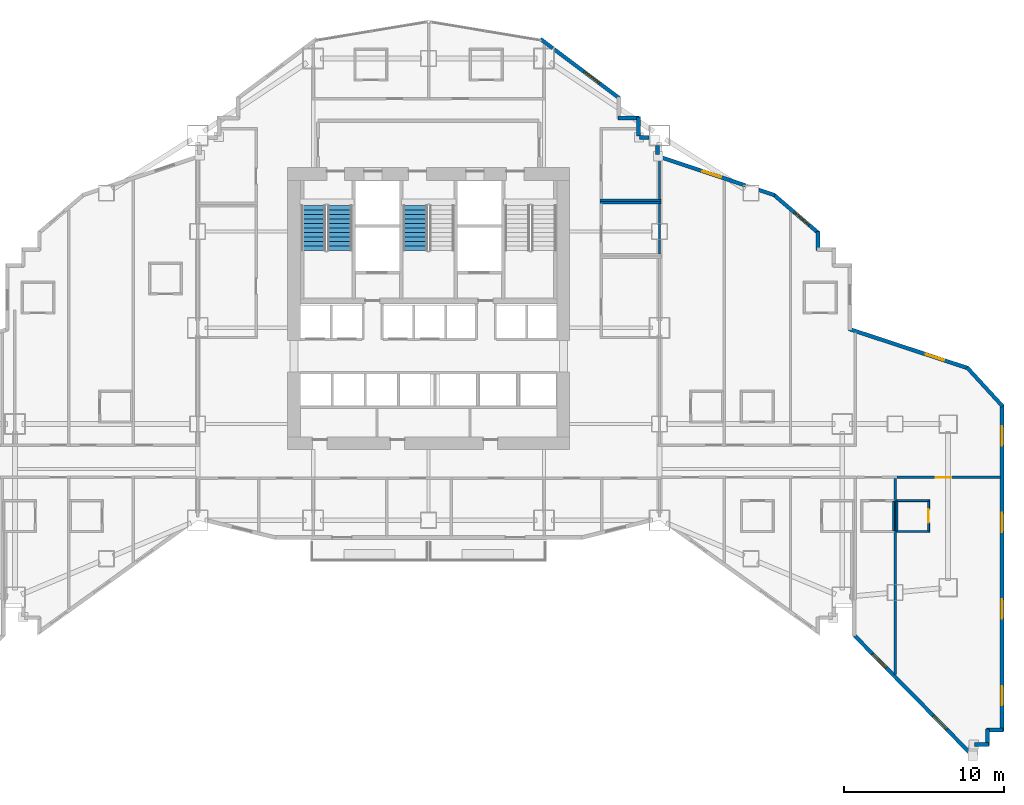
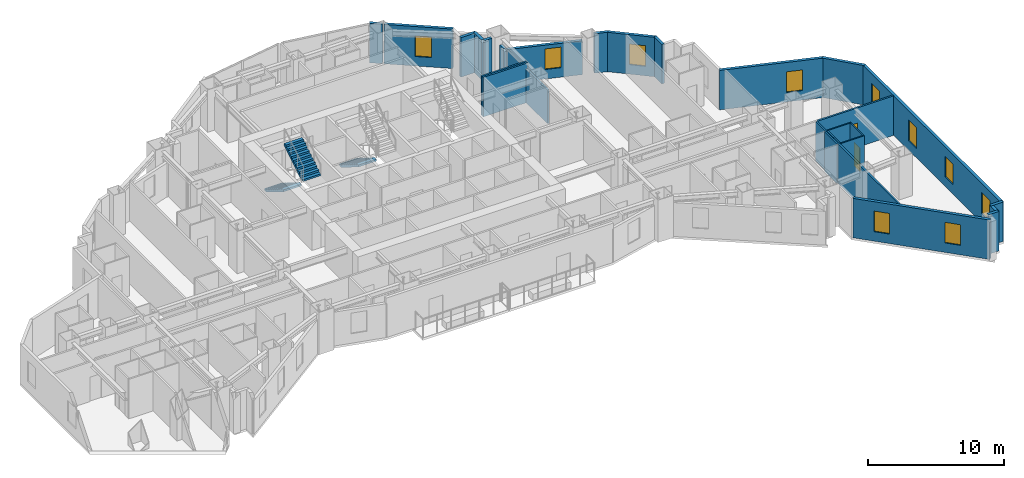
# One storey, part 13 of 19: 28 walls, 10 windows, 3 stair flights, 2 doors, 12 openings, 2 elements without a shape of their own.
"""IFC4 building model written with IfcOpenShell, lengths in metres."""

import ifcopenshell
import ifcopenshell.guid

model = None  # the IFC model being written
_history = None  # IfcOwnerHistory: only IFC2X3 demands one
_inside = {}  # id of a spatial element -> (the spatial element, [elements in it])
_under = {}  # id of a project, library or spatial element -> (it, [spatial elements below it])
_declared = {}  # id of a project -> (the project, [libraries it declares])
_typed = {}  # id of a type object -> (the type object, [elements of that type])
_made_of = {}  # id of a material, layer set ... -> (it, [elements and type objects made of it])


def new_model(schema):
    """Start an empty IFC model of exactly this schema.

    Asked for "IFC4X3", IfcOpenShell would pick the latest addendum, in which some entities
    have other attributes; the version numbers below select the first issue.
    IFC2X3 requires an IfcOwnerHistory on every rooted entity: one is made here for all.
    """
    global model, _history
    if schema == "IFC4X3":
        model = ifcopenshell.file(schema_version=(4, 3, 0, 0))
    else:
        model = ifcopenshell.file(schema=schema)
    _inside.clear()
    _under.clear()
    _declared.clear()
    _typed.clear()
    _made_of.clear()
    _history = None
    if model.schema == "IFC2X3":
        org = make("IfcOrganization", Name="unknown")
        user = make(
            "IfcPersonAndOrganization",
            ThePerson=make("IfcPerson", FamilyName="unknown"),
            TheOrganization=org,
        )
        app = make(
            "IfcApplication",
            ApplicationDeveloper=org,
            Version="unknown",
            ApplicationFullName="unknown",
            ApplicationIdentifier="unknown",
        )
        _history = make(
            "IfcOwnerHistory",
            OwningUser=user,
            OwningApplication=app,
            ChangeAction="ADDED",
            CreationDate=0,
        )
    return model


def make(cls, **values):
    """One entity of the class cls with the attributes given. An attribute that is None is left unset."""
    return model.create_entity(
        cls, **{name: value for name, value in values.items() if value is not None}
    )


def rooted(cls, **values):
    """An entity with a GlobalId (a new one), such as an element, a storey or a relation."""
    return make(cls, GlobalId=ifcopenshell.guid.new(), OwnerHistory=_history, **values)


def si_unit(unit_type, name, prefix=None):
    """IfcSIUnit, for example si_unit("LENGTHUNIT", "METRE", prefix="MILLI")."""
    return make("IfcSIUnit", UnitType=unit_type, Prefix=prefix, Name=name)


def assignment(units):
    """IfcUnitAssignment: the units of a project."""
    return None if units is None else make("IfcUnitAssignment", Units=units)


def point(xyz):
    """IfcCartesianPoint."""
    return None if xyz is None else make("IfcCartesianPoint", Coordinates=xyz)


def direction(xyz):
    """IfcDirection."""
    return None if xyz is None else make("IfcDirection", DirectionRatios=xyz)


def frame(location, z_axis=None, x_axis=None):
    """IfcAxis2Placement3D, a coordinate frame: its origin and axes. An axis left out is left unset."""
    return make(
        "IfcAxis2Placement3D",
        Location=point(location),
        Axis=direction(z_axis),
        RefDirection=direction(x_axis),
    )


def frame_2d(location, x_axis=None):
    """IfcAxis2Placement2D, a coordinate frame in the plane: its origin and x axis."""
    return make(
        "IfcAxis2Placement2D", Location=point(location), RefDirection=direction(x_axis)
    )


def origin():
    """The frame at (0, 0, 0) with its axes left unset."""
    return frame((0.0, 0.0, 0.0))


def place(relative_to, where):
    """IfcLocalPlacement: puts the frame where relative to a parent placement (None: the world)."""
    return make(
        "IfcLocalPlacement", PlacementRelTo=relative_to, RelativePlacement=where
    )


def context(
    kind, dimensions, precision=None, world=None, true_north=None, identifier=None
):
    """IfcGeometricRepresentationContext, for example the 3D "Model" context."""
    return make(
        "IfcGeometricRepresentationContext",
        ContextIdentifier=identifier,
        ContextType=kind,
        CoordinateSpaceDimension=dimensions,
        Precision=precision,
        WorldCoordinateSystem=world,
        TrueNorth=true_north,
    )


def subcontext(parent, identifier, kind, view, scale=None):
    """IfcGeometricRepresentationSubContext, for example "Body" below "Model"."""
    return make(
        "IfcGeometricRepresentationSubContext",
        ContextIdentifier=identifier,
        ContextType=kind,
        ParentContext=parent,
        TargetScale=scale,
        TargetView=view,
    )


def project(units=None, contexts=None):
    """IfcProject with its units and contexts."""
    return rooted(
        "IfcProject",
        Name="project",
        RepresentationContexts=contexts,
        UnitsInContext=assignment(units),
    )


def spatial(cls, under=None, at=None, **own):
    """A site, building, storey or space (cls), placed at a placement, below another one or the project."""
    s = rooted(cls, ObjectPlacement=at, **own)
    if under is not None:
        _under.setdefault(under.id(), (under, []))[1].append(s)
    return s


def polyline(points):
    """IfcPolyline through the points."""
    return make("IfcPolyline", Points=[point(p) for p in points])


def profile(cls, at=None, kind="AREA", **sizes):
    """A parametric profile (cls). Its sizes go by their IFC names, for example OverallWidth=200.0."""
    return make(cls, ProfileType=kind, Position=at, **sizes)


def rectangle(**sizes):
    """IfcRectangleProfileDef."""
    return profile("IfcRectangleProfileDef", **sizes)


def outline(outer, holes=None, kind="AREA"):
    """IfcArbitraryClosedProfileDef: a profile drawn as a closed curve; with holes, ...WithVoids."""
    if holes is None:
        return make("IfcArbitraryClosedProfileDef", ProfileType=kind, OuterCurve=outer)
    return make(
        "IfcArbitraryProfileDefWithVoids",
        ProfileType=kind,
        OuterCurve=outer,
        InnerCurves=holes,
    )


def extrude(swept, where, along, depth):
    """IfcExtrudedAreaSolid: the profile swept, set in the frame where, extruded along a direction by depth."""
    return make(
        "IfcExtrudedAreaSolid",
        SweptArea=swept,
        Position=where,
        ExtrudedDirection=direction(along),
        Depth=depth,
    )


def shape(context_of_items, identifier, shape_type, items):
    """IfcShapeRepresentation: the items that make up one representation, for example the "Body"."""
    return make(
        "IfcShapeRepresentation",
        ContextOfItems=context_of_items,
        RepresentationIdentifier=identifier,
        RepresentationType=shape_type,
        Items=items,
    )


def material(Name=None, Category=None):
    """IfcMaterial."""
    return make("IfcMaterial", Name=Name, Category=Category)


def layer(
    of_material, thickness, ventilated=None, Name=None, Category=None, Priority=None
):
    """IfcMaterialLayer: one layer of a wall or slab, of a material (None: an air gap)."""
    return make(
        "IfcMaterialLayer",
        Material=of_material,
        LayerThickness=thickness,
        IsVentilated=ventilated,
        Name=Name,
        Category=Category,
        Priority=Priority,
    )


def layer_set(layers, Name=None):
    """IfcMaterialLayerSet."""
    return make("IfcMaterialLayerSet", MaterialLayers=layers, LayerSetName=Name)


def made_of(thing, what):
    """Note that an element or type object is made of a material, layer set ...; save() writes the relation."""
    if what is not None:
        _made_of.setdefault(what.id(), (what, []))[1].append(thing)
    return thing


def type_object(cls, material=None, **own):
    """A type object (cls), such as IfcWallType, which elements share."""
    return made_of(rooted(cls, **own), material)


def element(
    cls,
    number,
    at=None,
    inside=None,
    cuts=None,
    type_object=None,
    material=None,
    context=None,
    identifier="Body",
    shape_type=None,
    held_by="IfcProductDefinitionShape",
    body=None,
    shapes=None,
    **own,
):
    """One element of the class cls, such as IfcWall. Its Tag is "e" and its number.

    at: its placement. inside: the storey or other place that contains it. cuts: it is an
    opening in that element (IfcRelVoidsElement). A single representation is given by context,
    identifier, shape_type and body (its items); several are given by shapes. held_by: the class
    of the entity that holds the representations. save() writes the other relations.
    """
    e = rooted(cls, Tag="e%d" % number, ObjectPlacement=at, **own)
    if body is not None:
        shapes = [shape(context, identifier, shape_type, body)]
    if shapes is not None:
        e.Representation = make(held_by, Representations=shapes)
    if inside is not None:
        _inside.setdefault(inside.id(), (inside, []))[1].append(e)
    if cuts is not None:
        rooted(
            "IfcRelVoidsElement", RelatingBuildingElement=cuts, RelatedOpeningElement=e
        )
    if type_object is not None:
        _typed.setdefault(type_object.id(), (type_object, []))[1].append(e)
    return made_of(e, material)


def fill(opening, filler):
    """IfcRelFillsElement: the door or window that sits in an opening."""
    return rooted(
        "IfcRelFillsElement",
        RelatingOpeningElement=opening,
        RelatedBuildingElement=filler,
    )


def aggregate(whole, parts):
    """IfcRelAggregates: a whole, such as a stair, and the parts it consists of."""
    return rooted("IfcRelAggregates", RelatingObject=whole, RelatedObjects=parts)


def save(model, path):
    """Write the relations noted so far, then the file.

    IfcRelAggregates (storeys below a building ...), IfcRelContainedInSpatialStructure (elements
    in a storey), IfcRelDefinesByType, IfcRelAssociatesMaterial and IfcRelDeclares: one each for
    every whole, place, type object, material and project.
    """
    for whole, parts in _under.values():
        aggregate(whole, parts)
    for where, things in _inside.values():
        rooted(
            "IfcRelContainedInSpatialStructure",
            RelatedElements=things,
            RelatingStructure=where,
        )
    for kind, things in _typed.values():
        rooted("IfcRelDefinesByType", RelatedObjects=things, RelatingType=kind)
    for what, things in _made_of.values():
        rooted("IfcRelAssociatesMaterial", RelatedObjects=things, RelatingMaterial=what)
    for by, libraries in _declared.values():
        rooted("IfcRelDeclares", RelatingContext=by, RelatedDefinitions=libraries)
    model.write(path)


model = new_model("IFC4")

# Units and contexts
model_context = context("Model", 3, precision=1e-05, world=origin(), true_north=direction((0.0, 1.0)))
body_context = subcontext(model_context, "Body", "Model", "MODEL_VIEW")
ifc_project = project(units=[si_unit("LENGTHUNIT", "METRE"), si_unit("AREAUNIT", "SQUARE_METRE"), si_unit("VOLUMEUNIT", "CUBIC_METRE"), si_unit("PLANEANGLEUNIT", "RADIAN"), si_unit("MASSUNIT", "GRAM", prefix="KILO")], contexts=[model_context])

# Site, building, storey
site_placement = place(None, origin())
site = spatial("IfcSite", under=ifc_project, at=site_placement, CompositionType="ELEMENT")
building_placement = place(site_placement, origin())
building = spatial("IfcBuilding", under=site, at=building_placement, Name="Haolan Belvedere Tower", CompositionType="ELEMENT")
storey_placement = place(building_placement, frame((0.0, 0.0, 39.199951171875)))
storey = spatial("IfcBuildingStorey", under=building, at=storey_placement, Name="L09", CompositionType="ELEMENT", Elevation=39.199951171875)

# Wall, openings, windows
ifc_material_1 = material(Name="Precast concrete C40/50", Category="concrete")
ifc_layer_1 = layer(ifc_material_1, 0.239990234375, Name="Precast concrete C40/50")
ifc_layer_set_1 = layer_set([ifc_layer_1], Name="Precast concrete C40/50")
wall_type_1 = type_object("IfcWallType", Name="WL-EXT-240", PredefinedType="SOLIDWALL", material=ifc_layer_set_1)
wall_1_placement = place(storey_placement, frame((64.965576171875, 14.40283203125, 0.0), z_axis=(0.0, 0.0, 1.0), x_axis=(0.701329027825, -0.712837705744, 0.0)))
wall_1 = element("IfcWall", 1, at=wall_1_placement, inside=storey, type_object=wall_type_1, Name="L09 pale-metal exterior spandrel wall 21.1", PredefinedType="SOLIDWALL", context=body_context, shape_type="SweptSolid", body=[
    extrude(rectangle(XDim=10.458251953125, YDim=0.239990234375, at=frame_2d((5.22900390625, 0.0))), origin(), (0.0, 0.0, 1.0), 3.5400390625),
])
opening_1_placement = place(wall_1_placement, frame((1.60009765625, 0.0, 0.85009765625)))
opening_1 = element("IfcOpeningElement", 2, at=opening_1_placement, cuts=wall_1, Name="Opening W-01", PredefinedType="OPENING", context=body_context, shape_type="SweptSolid", body=[
    extrude(rectangle(XDim=1.199951171875, YDim=1.85009765625, at=frame_2d((0.60009765625, 0.925048828125))), frame((0.0, 0.1298828125, 0.0), z_axis=(0.0, -1.0, 0.0), x_axis=(1.0, 0.0, 0.0)), (0.0, 0.0, 1.0), 0.260009765625),
])
opening_2_placement = place(wall_1_placement, frame((7.0, 0.0, 0.85009765625)))
opening_2 = element("IfcOpeningElement", 3, at=opening_2_placement, cuts=wall_1, Name="Opening W-01", PredefinedType="OPENING", context=body_context, shape_type="SweptSolid", body=[
    extrude(rectangle(XDim=1.199951171875, YDim=1.85009765625, at=frame_2d((0.60009765625, 0.925048828125))), frame((0.0, 0.1298828125, 0.0), z_axis=(0.0, -1.0, 0.0), x_axis=(1.0, 0.0, 0.0)), (0.0, 0.0, 1.0), 0.260009765625),
])
ifc_material_2 = material(Name="Anodised aluminium 6063-T6 and Low-E glass", Category="aluminium")
window_type = type_object("IfcWindowType", Name="WN-DECO-Z1", PartitioningType="SINGLE_PANEL", PredefinedType="WINDOW", material=ifc_material_2)
window_1_placement = place(opening_1_placement, origin())
window_1 = element("IfcWindow", 4, at=window_1_placement, inside=storey, type_object=window_type, Name="L09 Art Deco chevron window 1", OverallHeight=1.85009765625, OverallWidth=1.199951171875, PartitioningType="SINGLE_PANEL", PredefinedType="WINDOW", context=body_context, shape_type="SweptSolid", body=[
    extrude(rectangle(XDim=1.199951171875, YDim=1.85009765625, at=frame_2d((0.60009765625, 0.925048828125))), frame((0.0, 0.030029296875, 0.0), z_axis=(0.0, -1.0, 0.0), x_axis=(1.0, 0.0, 0.0)), (0.0, 0.0, 1.0), 0.06005859375),
])
fill(opening_1, window_1)
window_2_placement = place(opening_2_placement, origin())
window_2 = element("IfcWindow", 5, at=window_2_placement, inside=storey, type_object=window_type, Name="L09 Art Deco chevron window 2", OverallHeight=1.85009765625, OverallWidth=1.199951171875, PartitioningType="SINGLE_PANEL", PredefinedType="WINDOW", context=body_context, shape_type="SweptSolid", body=[
    extrude(rectangle(XDim=1.199951171875, YDim=1.85009765625, at=frame_2d((0.60009765625, 0.925048828125))), frame((0.0, 0.030029296875, 0.0), z_axis=(0.0, -1.0, 0.0), x_axis=(1.0, 0.0, 0.0)), (0.0, 0.0, 1.0), 0.06005859375),
])
fill(opening_2, window_2)

# Walls
wall_2_placement = place(storey_placement, frame((72.445068359375, 7.614013671875, 0.0), z_axis=(0.0, 0.0, 1.0), x_axis=(1.0, 0.0, 0.0)))
element("IfcWall", 6, at=wall_2_placement, inside=storey, type_object=wall_type_1, Name="L09 pale-metal exterior spandrel wall 23.1", PredefinedType="SOLIDWALL", context=body_context, shape_type="SweptSolid", body=[
    extrude(rectangle(XDim=0.869873046875, YDim=0.239990234375, at=frame_2d((0.43505859375, 0.0))), origin(), (0.0, 0.0, 1.0), 3.5400390625),
])
for number, where, z_axis, x_axis, name in (
    (7, (73.260009765625, 7.55908203125, 0.0), (0.0, 0.0, 1.0), (0.0, 1.0, 0.0), "L09 pale-metal exterior spandrel wall 24.1"),
    (8, (73.205078125, 8.513916015625, 0.0), (0.0, 0.0, 1.0), (1.0, 0.0, 0.0), "L09 pale-metal exterior spandrel wall 25.1"),
):
    element("IfcWall", number, at=place(storey_placement, frame(where, z_axis=z_axis, x_axis=x_axis)), inside=storey, type_object=wall_type_1, Name=name, PredefinedType="SOLIDWALL", context=body_context, shape_type="SweptSolid", body=[
        extrude(rectangle(XDim=1.010009765625, YDim=0.239990234375, at=frame_2d((0.5048828125, 0.0))), origin(), (0.0, 0.0, 1.0), 3.5400390625),
    ])

# Wall, openings, windows
wall_3_placement = place(storey_placement, frame((74.159912109375, 8.458984375, 0.0), z_axis=(0.0, 0.0, 1.0), x_axis=(0.0, 1.0, 0.0)))
wall_3 = element("IfcWall", 9, at=wall_3_placement, inside=storey, type_object=wall_type_1, Name="L09 pale-metal exterior spandrel wall 26.1", PredefinedType="SOLIDWALL", context=body_context, shape_type="SweptSolid", body=[
    extrude(rectangle(XDim=20.349365234375, YDim=0.239990234375, at=frame_2d((10.1748046875, 0.0))), origin(), (0.0, 0.0, 1.0), 3.5400390625),
])
opening_3_placement = place(wall_3_placement, frame((1.60009765625, 0.0, 0.85009765625)))
opening_3 = element("IfcOpeningElement", 10, at=opening_3_placement, cuts=wall_3, Name="Opening W-01", PredefinedType="OPENING", context=body_context, shape_type="SweptSolid", body=[
    extrude(rectangle(XDim=1.199951171875, YDim=1.85009765625, at=frame_2d((0.60009765625, 0.925048828125))), frame((0.0, 0.1298828125, 0.0), z_axis=(0.0, -1.0, 0.0), x_axis=(1.0, 0.0, 0.0)), (0.0, 0.0, 1.0), 0.260009765625),
])
opening_4_placement = place(wall_3_placement, frame((7.0, 0.0, 0.85009765625)))
opening_4 = element("IfcOpeningElement", 11, at=opening_4_placement, cuts=wall_3, Name="Opening W-01", PredefinedType="OPENING", context=body_context, shape_type="SweptSolid", body=[
    extrude(rectangle(XDim=1.199951171875, YDim=1.85009765625, at=frame_2d((0.60009765625, 0.925048828125))), frame((0.0, 0.1298828125, 0.0), z_axis=(0.0, -1.0, 0.0), x_axis=(1.0, 0.0, 0.0)), (0.0, 0.0, 1.0), 0.260009765625),
])
opening_5_placement = place(wall_3_placement, frame((12.39990234375, 0.0, 0.85009765625)))
opening_5 = element("IfcOpeningElement", 12, at=opening_5_placement, cuts=wall_3, Name="Opening W-01", PredefinedType="OPENING", context=body_context, shape_type="SweptSolid", body=[
    extrude(rectangle(XDim=1.199951171875, YDim=1.85009765625, at=frame_2d((0.60009765625, 0.925048828125))), frame((0.0, 0.1298828125, 0.0), z_axis=(0.0, -1.0, 0.0), x_axis=(1.0, 0.0, 0.0)), (0.0, 0.0, 1.0), 0.260009765625),
])
opening_6_placement = place(wall_3_placement, frame((17.800048828125, 0.0, 0.85009765625)))
opening_6 = element("IfcOpeningElement", 13, at=opening_6_placement, cuts=wall_3, Name="Opening W-01", PredefinedType="OPENING", context=body_context, shape_type="SweptSolid", body=[
    extrude(rectangle(XDim=1.199951171875, YDim=1.85009765625, at=frame_2d((0.60009765625, 0.925048828125))), frame((0.0, 0.1298828125, 0.0), z_axis=(0.0, -1.0, 0.0), x_axis=(1.0, 0.0, 0.0)), (0.0, 0.0, 1.0), 0.260009765625),
])
window_3_placement = place(opening_3_placement, origin())
window_3 = element("IfcWindow", 14, at=window_3_placement, inside=storey, type_object=window_type, Name="L09 Art Deco chevron window 1", OverallHeight=1.85009765625, OverallWidth=1.199951171875, PartitioningType="SINGLE_PANEL", PredefinedType="WINDOW", context=body_context, shape_type="SweptSolid", body=[
    extrude(rectangle(XDim=1.199951171875, YDim=1.85009765625, at=frame_2d((0.60009765625, 0.925048828125))), frame((0.0, 0.030029296875, 0.0), z_axis=(0.0, -1.0, 0.0), x_axis=(1.0, 0.0, 0.0)), (0.0, 0.0, 1.0), 0.06005859375),
])
fill(opening_3, window_3)
window_4_placement = place(opening_4_placement, origin())
window_4 = element("IfcWindow", 15, at=window_4_placement, inside=storey, type_object=window_type, Name="L09 Art Deco chevron window 2", OverallHeight=1.85009765625, OverallWidth=1.199951171875, PartitioningType="SINGLE_PANEL", PredefinedType="WINDOW", context=body_context, shape_type="SweptSolid", body=[
    extrude(rectangle(XDim=1.199951171875, YDim=1.85009765625, at=frame_2d((0.60009765625, 0.925048828125))), frame((0.0, 0.030029296875, 0.0), z_axis=(0.0, -1.0, 0.0), x_axis=(1.0, 0.0, 0.0)), (0.0, 0.0, 1.0), 0.06005859375),
])
fill(opening_4, window_4)
window_5_placement = place(opening_5_placement, origin())
window_5 = element("IfcWindow", 16, at=window_5_placement, inside=storey, type_object=window_type, Name="L09 Art Deco chevron window 3", OverallHeight=1.85009765625, OverallWidth=1.199951171875, PartitioningType="SINGLE_PANEL", PredefinedType="WINDOW", context=body_context, shape_type="SweptSolid", body=[
    extrude(rectangle(XDim=1.199951171875, YDim=1.85009765625, at=frame_2d((0.60009765625, 0.925048828125))), frame((0.0, 0.030029296875, 0.0), z_axis=(0.0, -1.0, 0.0), x_axis=(1.0, 0.0, 0.0)), (0.0, 0.0, 1.0), 0.06005859375),
])
fill(opening_5, window_5)
window_6_placement = place(opening_6_placement, origin())
window_6 = element("IfcWindow", 17, at=window_6_placement, inside=storey, type_object=window_type, Name="L09 Art Deco chevron window 4", OverallHeight=1.85009765625, OverallWidth=1.199951171875, PartitioningType="SINGLE_PANEL", PredefinedType="WINDOW", context=body_context, shape_type="SweptSolid", body=[
    extrude(rectangle(XDim=1.199951171875, YDim=1.85009765625, at=frame_2d((0.60009765625, 0.925048828125))), frame((0.0, 0.030029296875, 0.0), z_axis=(0.0, -1.0, 0.0), x_axis=(1.0, 0.0, 0.0)), (0.0, 0.0, 1.0), 0.06005859375),
])
fill(opening_6, window_6)

# Wall
wall_4_placement = place(storey_placement, frame((74.197265625, 28.712890625, 0.0), z_axis=(0.0, 0.0, 1.0), x_axis=(-0.675771705575, 0.737110983465, 0.0)))
element("IfcWall", 18, at=wall_4_placement, inside=storey, type_object=wall_type_1, Name="L09 pale-metal exterior spandrel wall 27.1", PredefinedType="SOLIDWALL", context=body_context, shape_type="SweptSolid", body=[
    extrude(rectangle(XDim=3.28759765625, YDim=0.239990234375, at=frame_2d((1.643798828125, 0.0))), origin(), (0.0, 0.0, 1.0), 3.5400390625),
])

# Wall, opening, window
wall_5_placement = place(storey_placement, frame((72.06494140625, 31.07861328125, 0.0), z_axis=(0.0, 0.0, 1.0), x_axis=(-0.949719438711, 0.313102200144, 0.0)))
wall_5 = element("IfcWall", 19, at=wall_5_placement, inside=storey, type_object=wall_type_1, Name="L09 pale-metal exterior spandrel wall 28.1", PredefinedType="SOLIDWALL", context=body_context, shape_type="SweptSolid", body=[
    extrude(rectangle(XDim=7.8310546875, YDim=0.239990234375, at=frame_2d((3.91552734375, 0.0))), origin(), (0.0, 0.0, 1.0), 3.5400390625),
])
opening_7_placement = place(wall_5_placement, frame((1.60009765625, 0.0, 0.85009765625)))
opening_7 = element("IfcOpeningElement", 20, at=opening_7_placement, cuts=wall_5, Name="Opening W-01", PredefinedType="OPENING", context=body_context, shape_type="SweptSolid", body=[
    extrude(rectangle(XDim=1.199951171875, YDim=1.85009765625, at=frame_2d((0.60009765625, 0.925048828125))), frame((0.0, 0.1298828125, 0.0), z_axis=(0.0, -1.0, 0.0), x_axis=(1.0, 0.0, 0.0)), (0.0, 0.0, 1.0), 0.260009765625),
])
window_7_placement = place(opening_7_placement, origin())
window_7 = element("IfcWindow", 21, at=window_7_placement, inside=storey, type_object=window_type, Name="L09 Art Deco chevron window 1", OverallHeight=1.85009765625, OverallWidth=1.199951171875, PartitioningType="SINGLE_PANEL", PredefinedType="WINDOW", context=body_context, shape_type="SweptSolid", body=[
    extrude(rectangle(XDim=1.199951171875, YDim=1.85009765625, at=frame_2d((0.60009765625, 0.925048828125))), frame((0.0, 0.030029296875, 0.0), z_axis=(0.0, -1.0, 0.0), x_axis=(1.0, 0.0, 0.0)), (0.0, 0.0, 1.0), 0.06005859375),
])
fill(opening_7, window_7)

# Wall
wall_6_placement = place(storey_placement, frame((62.679931640625, 38.425048828125, 0.0), z_axis=(0.0, 0.0, 1.0), x_axis=(0.0, 1.0, 0.0)))
element("IfcWall", 22, at=wall_6_placement, inside=storey, type_object=wall_type_1, Name="L09 pale-metal exterior spandrel wall 33.1", PredefinedType="SOLIDWALL", context=body_context, shape_type="SweptSolid", body=[
    extrude(rectangle(XDim=1.1748046875, YDim=0.239990234375, at=frame_2d((0.58740234375, 0.0))), origin(), (0.0, 0.0, 1.0), 3.5400390625),
])

# Wall, opening, window
wall_7_placement = place(storey_placement, frame((62.7216796875, 39.509033203125, 0.0), z_axis=(0.0, 0.0, 1.0), x_axis=(-0.759247334792, 0.650802185469, 0.0)))
wall_7 = element("IfcWall", 23, at=wall_7_placement, inside=storey, type_object=wall_type_1, Name="L09 pale-metal exterior spandrel wall 34.1", PredefinedType="SOLIDWALL", context=body_context, shape_type="SweptSolid", body=[
    extrude(rectangle(XDim=3.71923828125, YDim=0.239990234375, at=frame_2d((1.859619140625, 0.0))), origin(), (0.0, 0.0, 1.0), 3.5400390625),
])
opening_8_placement = place(wall_7_placement, frame((0.7822265625, 0.0, 0.85009765625)))
opening_8 = element("IfcOpeningElement", 24, at=opening_8_placement, cuts=wall_7, Name="Opening W-01", PredefinedType="OPENING", context=body_context, shape_type="SweptSolid", body=[
    extrude(rectangle(XDim=1.199951171875, YDim=1.85009765625, at=frame_2d((0.60009765625, 0.925048828125))), frame((0.0, 0.1298828125, 0.0), z_axis=(0.0, -1.0, 0.0), x_axis=(1.0, 0.0, 0.0)), (0.0, 0.0, 1.0), 0.260009765625),
])
window_8_placement = place(opening_8_placement, origin())
window_8 = element("IfcWindow", 25, at=window_8_placement, inside=storey, type_object=window_type, Name="L09 Art Deco chevron window 1", OverallHeight=1.85009765625, OverallWidth=1.199951171875, PartitioningType="SINGLE_PANEL", PredefinedType="WINDOW", context=body_context, shape_type="SweptSolid", body=[
    extrude(rectangle(XDim=1.199951171875, YDim=1.85009765625, at=frame_2d((0.60009765625, 0.925048828125))), frame((0.0, 0.030029296875, 0.0), z_axis=(0.0, -1.0, 0.0), x_axis=(1.0, 0.0, 0.0)), (0.0, 0.0, 1.0), 0.06005859375),
])
fill(opening_8, window_8)

# Wall
wall_8_placement = place(storey_placement, frame((59.991943359375, 41.876220703125, 0.0), z_axis=(0.0, 0.0, 1.0), x_axis=(-0.948706457285, 0.316158279832, 0.0)))
element("IfcWall", 26, at=wall_8_placement, inside=storey, type_object=wall_type_1, Name="L09 pale-metal exterior spandrel wall 35.1", PredefinedType="SOLIDWALL", context=body_context, shape_type="SweptSolid", body=[
    extrude(rectangle(XDim=1.053955078125, YDim=0.239990234375, at=frame_2d((0.52685546875, 0.0))), origin(), (0.0, 0.0, 1.0), 3.5400390625),
])

# Wall, opening, window
wall_9_placement = place(storey_placement, frame((58.14453125, 42.491943359375, 0.0), z_axis=(0.0, 0.0, 1.0), x_axis=(-0.948683298051, 0.316227766017, 0.0)))
wall_9 = element("IfcWall", 27, at=wall_9_placement, inside=storey, type_object=wall_type_1, Name="L09 pale-metal exterior spandrel wall 35.2", PredefinedType="SOLIDWALL", context=body_context, shape_type="SweptSolid", body=[
    extrude(rectangle(XDim=5.67529296875, YDim=0.239990234375, at=frame_2d((2.837646484375, 0.0))), origin(), (0.0, 0.0, 1.0), 3.037109375),
])
opening_9_placement = place(wall_9_placement, frame((1.60009765625, 0.0, 0.85009765625)))
opening_9 = element("IfcOpeningElement", 28, at=opening_9_placement, cuts=wall_9, Name="Opening W-01", PredefinedType="OPENING", context=body_context, shape_type="SweptSolid", body=[
    extrude(rectangle(XDim=1.199951171875, YDim=1.85009765625, at=frame_2d((0.60009765625, 0.925048828125))), frame((0.0, 0.1298828125, 0.0), z_axis=(0.0, -1.0, 0.0), x_axis=(1.0, 0.0, 0.0)), (0.0, 0.0, 1.0), 0.260009765625),
])
window_9_placement = place(opening_9_placement, origin())
window_9 = element("IfcWindow", 29, at=window_9_placement, inside=storey, type_object=window_type, Name="L09 Art Deco chevron window 1", OverallHeight=1.85009765625, OverallWidth=1.199951171875, PartitioningType="SINGLE_PANEL", PredefinedType="WINDOW", context=body_context, shape_type="SweptSolid", body=[
    extrude(rectangle(XDim=1.199951171875, YDim=1.85009765625, at=frame_2d((0.60009765625, 0.925048828125))), frame((0.0, 0.030029296875, 0.0), z_axis=(0.0, -1.0, 0.0), x_axis=(1.0, 0.0, 0.0)), (0.0, 0.0, 1.0), 0.06005859375),
])
fill(opening_9, window_9)

# Walls
wall_10_placement = place(storey_placement, frame((52.679931640625, 44.3984375, 0.0), z_axis=(0.0, 0.0, 1.0), x_axis=(0.0, 1.0, 0.0)))
element("IfcWall", 30, at=wall_10_placement, inside=storey, type_object=wall_type_1, Name="L09 pale-metal exterior spandrel wall 36.1", PredefinedType="SOLIDWALL", context=body_context, shape_type="SweptSolid", body=[
    extrude(rectangle(XDim=0.5595703125, YDim=0.239990234375, at=frame_2d((0.27978515625, 0.0))), origin(), (0.0, 0.0, 1.0), 3.037109375),
])
wall_11_placement = place(storey_placement, frame((52.157958984375, 45.47998046875, 0.0), z_axis=(0.0, 0.0, 1.0), x_axis=(-1.0, 0.0, 0.0)))
element("IfcWall", 31, at=wall_11_placement, inside=storey, type_object=wall_type_1, Name="L09 pale-metal exterior spandrel wall 37.1", PredefinedType="SOLIDWALL", context=body_context, shape_type="SweptSolid", body=[
    extrude(rectangle(XDim=0.593017578125, YDim=0.239990234375, at=frame_2d((0.29638671875, 0.0))), origin(), (0.0, 0.0, 1.0), 3.5400390625),
])
wall_12_placement = place(storey_placement, frame((51.47998046875, 45.56494140625, 0.0), z_axis=(0.0, 0.0, 1.0), x_axis=(0.0, 1.0, 0.0)))
element("IfcWall", 32, at=wall_12_placement, inside=storey, type_object=wall_type_1, Name="L09 pale-metal exterior spandrel wall 38.1", PredefinedType="SOLIDWALL", context=body_context, shape_type="SweptSolid", body=[
    extrude(rectangle(XDim=1.170166015625, YDim=0.239990234375, at=frame_2d((0.5849609375, 0.0))), origin(), (0.0, 0.0, 1.0), 3.5400390625),
])
wall_13_placement = place(storey_placement, frame((51.534912109375, 46.679931640625, 0.0), z_axis=(0.0, 0.0, 1.0), x_axis=(-1.0, 0.0, 0.0)))
element("IfcWall", 33, at=wall_13_placement, inside=storey, type_object=wall_type_1, Name="L09 pale-metal exterior spandrel wall 39.1", PredefinedType="SOLIDWALL", context=body_context, shape_type="SweptSolid", body=[
    extrude(rectangle(XDim=1.309814453125, YDim=0.239990234375, at=frame_2d((0.65478515625, 0.0))), origin(), (0.0, 0.0, 1.0), 3.5400390625),
])

# Wall, opening, window
wall_14_placement = place(storey_placement, frame((50.323974609375, 47.906982421875, 0.0), z_axis=(0.0, 0.0, 1.0), x_axis=(-0.8, 0.6, 0.0)))
wall_14 = element("IfcWall", 34, at=wall_14_placement, inside=storey, type_object=wall_type_1, Name="L09 pale-metal exterior spandrel wall 41.1", PredefinedType="SOLIDWALL", context=body_context, shape_type="SweptSolid", body=[
    extrude(rectangle(XDim=5.1025390625, YDim=0.239990234375, at=frame_2d((2.55126953125, 0.0))), origin(), (0.0, 0.0, 1.0), 3.5400390625),
])
opening_10_placement = place(wall_14_placement, frame((1.60009765625, 0.0, 0.85009765625)))
opening_10 = element("IfcOpeningElement", 35, at=opening_10_placement, cuts=wall_14, Name="Opening W-01", PredefinedType="OPENING", context=body_context, shape_type="SweptSolid", body=[
    extrude(rectangle(XDim=1.199951171875, YDim=1.85009765625, at=frame_2d((0.60009765625, 0.925048828125))), frame((0.0, 0.1298828125, 0.0), z_axis=(0.0, -1.0, 0.0), x_axis=(1.0, 0.0, 0.0)), (0.0, 0.0, 1.0), 0.260009765625),
])
window_10_placement = place(opening_10_placement, origin())
window_10 = element("IfcWindow", 36, at=window_10_placement, inside=storey, type_object=window_type, Name="L09 Art Deco chevron window 1", OverallHeight=1.85009765625, OverallWidth=1.199951171875, PartitioningType="SINGLE_PANEL", PredefinedType="WINDOW", context=body_context, shape_type="SweptSolid", body=[
    extrude(rectangle(XDim=1.199951171875, YDim=1.85009765625, at=frame_2d((0.60009765625, 0.925048828125))), frame((0.0, 0.030029296875, 0.0), z_axis=(0.0, -1.0, 0.0), x_axis=(1.0, 0.0, 0.0)), (0.0, 0.0, 1.0), 0.06005859375),
])
fill(opening_10, window_10)

# Walls
wall_15_placement = place(storey_placement, frame((46.143798828125, 51.0419921875, 0.0), z_axis=(0.0, 0.0, 1.0), x_axis=(-0.8, 0.6, 0.0)))
element("IfcWall", 37, at=wall_15_placement, inside=storey, type_object=wall_type_1, Name="L09 pale-metal exterior spandrel wall 41.2", PredefinedType="SOLIDWALL", context=body_context, shape_type="SweptSolid", body=[
    extrude(rectangle(XDim=0.965576171875, YDim=0.239990234375, at=frame_2d((0.48291015625, 0.0))), origin(), (0.0, 0.0, 1.0), 3.5400390625),
])
ifc_material_3 = material(Name="Double gypsum acoustic stud partition", Category="masonry")
ifc_layer_2 = layer(ifc_material_3, 0.14990234375, Name="Double gypsum acoustic stud partition")
ifc_layer_set_2 = layer_set([ifc_layer_2], Name="Double gypsum acoustic stud partition")
wall_type_2 = type_object("IfcWallType", Name="WL-PART-150", PredefinedType="PARTITIONING", material=ifc_layer_set_2)
wall_16_placement = place(storey_placement, frame((49.080078125, 41.39990234375, 0.0), z_axis=(0.0, 0.0, 1.0), x_axis=(1.0, 0.0, 0.0)))
element("IfcWall", 38, at=wall_16_placement, inside=storey, type_object=wall_type_2, Name="L09 interior partition IW-L09-AWC-N", PredefinedType="PARTITIONING", context=body_context, shape_type="SweptSolid", body=[
    extrude(rectangle(XDim=3.7998046875, YDim=0.14990234375, at=frame_2d((1.89990234375, 0.0))), origin(), (0.0, 0.0, 1.0), 3.5400390625),
])
wall_17_placement = place(storey_placement, frame((52.800048828125, 38.219970703125, 0.0), z_axis=(0.0, 0.0, 1.0), x_axis=(0.0, 1.0, 0.0)))
element("IfcWall", 39, at=wall_17_placement, inside=storey, type_object=wall_type_2, Name="L09 interior partition IW-L09-AWC-E", PredefinedType="PARTITIONING", context=body_context, shape_type="SweptSolid", body=[
    extrude(rectangle(XDim=3.1201171875, YDim=0.14990234375, at=frame_2d((1.56005859375, 0.0))), origin(), (0.0, 0.0, 1.0), 3.037109375),
])
wall_18_placement = place(storey_placement, frame((49.080078125, 41.56005859375, 0.0), z_axis=(0.0, 0.0, 1.0), x_axis=(1.0, 0.0, 0.0)))
element("IfcWall", 40, at=wall_18_placement, inside=storey, type_object=wall_type_2, Name="L09 interior partition IW-L09-CLN-S", PredefinedType="PARTITIONING", context=body_context, shape_type="SweptSolid", body=[
    extrude(rectangle(XDim=3.7998046875, YDim=0.14990234375, at=frame_2d((1.89990234375, 0.0))), origin(), (0.0, 0.0, 1.0), 3.5400390625),
])
wall_19_placement = place(storey_placement, frame((52.800048828125, 41.6201171875, 0.0), z_axis=(0.0, 0.0, 1.0), x_axis=(0.0, 1.0, 0.0)))
element("IfcWall", 41, at=wall_19_placement, inside=storey, type_object=wall_type_2, Name="L09 interior partition IW-L09-CLN-E", PredefinedType="PARTITIONING", context=body_context, shape_type="SweptSolid", body=[
    extrude(rectangle(XDim=2.542724609375, YDim=0.14990234375, at=frame_2d((1.271484375, 0.0))), origin(), (0.0, 0.0, 1.0), 3.037109375),
])
wall_20_placement = place(storey_placement, frame((67.5, 11.9765625, 0.0), z_axis=(0.0, 0.0, 1.0), x_axis=(0.0, 1.0, 0.0)))
element("IfcWall", 42, at=wall_20_placement, inside=storey, type_object=wall_type_2, Name="L09 interior partition IW-L09-T5S1-E", PredefinedType="PARTITIONING", context=body_context, shape_type="SweptSolid", body=[
    extrude(rectangle(XDim=12.2333984375, YDim=0.14990234375, at=frame_2d((6.11669921875, 0.0))), origin(), (0.0, 0.0, 1.0), 3.5400390625),
])

# Wall, opening, door
wall_21_placement = place(storey_placement, frame((67.60205078125, 24.27001953125, 0.0), z_axis=(0.0, 0.0, 1.0), x_axis=(1.0, 0.0, 0.0)))
wall_21 = element("IfcWall", 43, at=wall_21_placement, inside=storey, type_object=wall_type_2, Name="L09 interior partition IW-L09-T5S2-N", PredefinedType="PARTITIONING", context=body_context, shape_type="SweptSolid", body=[
    extrude(rectangle(XDim=6.452880859375, YDim=0.14990234375, at=frame_2d((3.2265625, 0.0))), origin(), (0.0, 0.0, 1.0), 3.5400390625),
])
opening_11_placement = place(wall_21_placement, frame((3.383056640625, 0.0, 0.0), z_axis=(0.0, 0.0, 1.0), x_axis=(-1.0, 0.0, 0.0)))
opening_11 = element("IfcOpeningElement", 44, at=opening_11_placement, cuts=wall_21, Name="Opening ID-01", PredefinedType="OPENING", context=body_context, shape_type="SweptSolid", body=[
    extrude(rectangle(XDim=0.949951171875, YDim=2.179931640625, at=frame_2d((0.47509765625, 1.08984375))), frame((0.0, 0.0849609375, 0.0), z_axis=(0.0, -1.0, 0.0), x_axis=(1.0, 0.0, 0.0)), (0.0, 0.0, 1.0), 0.169921875),
])
ifc_material_4 = material(Name="Acoustic walnut veneer fire-rated timber", Category="wood")
door_type_1 = type_object("IfcDoorType", Name="DR-SUITE-950", OperationType="NOTDEFINED", PredefinedType="DOOR", material=ifc_material_4)
door_1_placement = place(opening_11_placement, origin())
door_1 = element("IfcDoor", 45, at=door_1_placement, inside=storey, type_object=door_type_1, Name="L09 door ID-L09-T5S2-ENT", OperationType="SINGLE_SWING_RIGHT", OverallHeight=2.179931640625, OverallWidth=0.949951171875, PredefinedType="DOOR", context=body_context, shape_type="SweptSolid", body=[
    extrude(rectangle(XDim=0.949951171875, YDim=2.179931640625, at=frame_2d((0.47509765625, 1.08984375))), frame((0.0, 0.02490234375, 0.0), z_axis=(0.0, -1.0, 0.0), x_axis=(1.0, 0.0, 0.0)), (0.0, 0.0, 1.0), 0.050048828125),
])
fill(opening_11, door_1)

# Walls
ifc_material_5 = material(Name="Moisture-resistant gypsum tile partition", Category="masonry")
ifc_layer_3 = layer(ifc_material_5, 0.1201171875, Name="Moisture-resistant gypsum tile partition")
ifc_layer_set_3 = layer_set([ifc_layer_3], Name="Moisture-resistant gypsum tile partition")
wall_type_3 = type_object("IfcWallType", Name="WL-WET-120", PredefinedType="PARTITIONING", material=ifc_layer_set_3)
wall_22_placement = place(storey_placement, frame((67.39990234375, 20.945068359375, 0.0), z_axis=(0.0, 0.0, 1.0), x_axis=(0.0, 1.0, 0.0)))
element("IfcWall", 46, at=wall_22_placement, inside=storey, type_object=wall_type_3, Name="L09 interior partition IW-L09-T5S1-BE", PredefinedType="PARTITIONING", context=body_context, shape_type="SweptSolid", body=[
    extrude(rectangle(XDim=1.829833984375, YDim=0.1201171875, at=frame_2d((0.9150390625, 0.0))), origin(), (0.0, 0.0, 1.0), 3.5400390625),
])
for number, where, z_axis, x_axis, name in (
    (47, (67.56005859375, 22.820068359375, 0.0), (0.0, 0.0, 1.0), (1.0, 0.0, 0.0), "L09 interior partition IW-L09-T5S2-BN"),
    (48, (67.56005859375, 20.89990234375, 0.0), (0.0, 0.0, 1.0), (1.0, 0.0, 0.0), "L09 interior partition IW-L09-T5S2-BS"),
):
    element("IfcWall", number, at=place(storey_placement, frame(where, z_axis=z_axis, x_axis=x_axis)), inside=storey, type_object=wall_type_3, Name=name, PredefinedType="PARTITIONING", context=body_context, shape_type="SweptSolid", body=[
        extrude(rectangle(XDim=2.079833984375, YDim=0.1201171875, at=frame_2d((1.0400390625, 0.0))), origin(), (0.0, 0.0, 1.0), 3.5400390625),
    ])
wall_23_placement = place(storey_placement, frame((67.60009765625, 20.945068359375, 0.0), z_axis=(0.0, 0.0, 1.0), x_axis=(0.0, 1.0, 0.0)))
element("IfcWall", 49, at=wall_23_placement, inside=storey, type_object=wall_type_3, Name="L09 interior partition IW-L09-T5S2-BW", PredefinedType="PARTITIONING", context=body_context, shape_type="SweptSolid", body=[
    extrude(rectangle(XDim=1.829833984375, YDim=0.1201171875, at=frame_2d((0.9150390625, 0.0))), origin(), (0.0, 0.0, 1.0), 3.5400390625),
])

# Wall, opening, door
wall_24_placement = place(storey_placement, frame((69.580078125, 20.945068359375, 0.0), z_axis=(0.0, 0.0, 1.0), x_axis=(0.0, 1.0, 0.0)))
wall_24 = element("IfcWall", 50, at=wall_24_placement, inside=storey, type_object=wall_type_3, Name="L09 interior partition IW-L09-T5S2-BE", PredefinedType="PARTITIONING", context=body_context, shape_type="SweptSolid", body=[
    extrude(rectangle(XDim=1.829833984375, YDim=0.1201171875, at=frame_2d((0.9150390625, 0.0))), origin(), (0.0, 0.0, 1.0), 3.5400390625),
])
opening_12_placement = place(wall_24_placement, frame((0.489990234375, 0.0, 0.0)))
opening_12 = element("IfcOpeningElement", 51, at=opening_12_placement, cuts=wall_24, Name="Opening ID-05", PredefinedType="OPENING", context=body_context, shape_type="SweptSolid", body=[
    extrude(rectangle(XDim=0.85009765625, YDim=2.10009765625, at=frame_2d((0.425048828125, 1.050048828125))), frame((0.0, 0.070068359375, 0.0), z_axis=(0.0, -1.0, 0.0), x_axis=(1.0, 0.0, 0.0)), (0.0, 0.0, 1.0), 0.14013671875),
])
ifc_material_6 = material(Name="Moisture-resistant lacquered timber", Category="wood")
door_type_2 = type_object("IfcDoorType", Name="DR-BATH-850", OperationType="NOTDEFINED", PredefinedType="DOOR", material=ifc_material_6)
door_2_placement = place(opening_12_placement, origin())
door_2 = element("IfcDoor", 52, at=door_2_placement, inside=storey, type_object=door_type_2, Name="L09 door ID-L09-T5S2-BATH", OperationType="SINGLE_SWING_LEFT", OverallHeight=2.10009765625, OverallWidth=0.85009765625, PredefinedType="DOOR", context=body_context, shape_type="SweptSolid", body=[
    extrude(rectangle(XDim=0.85009765625, YDim=2.10009765625, at=frame_2d((0.425048828125, 1.050048828125))), frame((0.0, 0.02490234375, 0.0), z_axis=(0.0, -1.0, 0.0), x_axis=(1.0, 0.0, 0.0)), (0.0, 0.0, 1.0), 0.050048828125),
])
fill(opening_12, door_2)

# Stair, stair flights
ifc_material_7 = material(Name="Concrete C40/50", Category="concrete")
stair_type = type_object("IfcStairType", Name="STR-DL-22R-173", PredefinedType="HALF_TURN_STAIR", material=ifc_material_7)
stair_1_placement = place(storey_placement, origin())
stair_1 = element("IfcStair", 53, at=stair_1_placement, inside=storey, type_object=stair_type, Name="L09 Smokeproof Core Exit Stair ST1", PredefinedType="HALF_TURN_STAIR")
stair_flight_type = type_object("IfcStairFlightType", Name="SFL-DL-11R-173", PredefinedType="STRAIGHT", material=ifc_material_7)
stair_flight_1_placement = place(storey_placement, frame((31.2099609375, 41.22998046875, 0.0), z_axis=(0.0, 0.0, 1.0), x_axis=(0.0, -1.0, 0.0)))
stair_flight_1 = element("IfcStairFlight", 54, at=stair_flight_1_placement, type_object=stair_flight_type, Name="ST1 flight 1", NumberOfRisers=11, NumberOfTreads=10, PredefinedType="STRAIGHT", RiserHeight=0.172727273, TreadLength=0.28, context=body_context, shape_type="SweptSolid", body=[
    extrude(outline(polyline([(0.0, 0.0), (0.0, 0.172607421875), (0.280029296875, 0.172607421875), (0.280029296875, 0.345458984375), (0.56005859375, 0.345458984375), (0.56005859375, 0.51806640625), (0.840087890625, 0.51806640625), (0.840087890625, 0.69091796875), (1.1201171875, 0.69091796875), (1.1201171875, 0.863525390625), (1.39990234375, 0.863525390625), (1.39990234375, 1.036376953125), (1.679931640625, 1.036376953125), (1.679931640625, 1.208984375), (1.9599609375, 1.208984375), (1.9599609375, 1.3818359375), (2.239990234375, 1.3818359375), (2.239990234375, 1.554443359375), (2.52001953125, 1.554443359375), (2.52001953125, 1.727294921875), (2.800048828125, 1.727294921875), (2.800048828125, 1.89990234375), (2.800048828125, 1.551025390625), (0.285400390625, 0.0), (0.0, 0.0)])), frame((0.0, 0.760009765625, 0.0), z_axis=(0.0, -1.0, 0.0), x_axis=(1.0, 0.0, 0.0)), (0.0, 0.0, 1.0), 1.52001953125),
])
stair_flight_2_placement = place(storey_placement, frame((32.8701171875, 38.429931640625, 1.900146484375), z_axis=(0.0, 0.0, 1.0), x_axis=(0.0, 1.0, 0.0)))
stair_flight_2 = element("IfcStairFlight", 55, at=stair_flight_2_placement, type_object=stair_flight_type, Name="ST1 flight 2", NumberOfRisers=11, NumberOfTreads=10, PredefinedType="STRAIGHT", RiserHeight=0.172727273, TreadLength=0.28, context=body_context, shape_type="SweptSolid", body=[
    extrude(outline(polyline([(0.0, 0.0), (0.0, 0.172607421875), (0.280029296875, 0.172607421875), (0.280029296875, 0.345458984375), (0.56005859375, 0.345458984375), (0.56005859375, 0.51806640625), (0.840087890625, 0.51806640625), (0.840087890625, 0.69091796875), (1.1201171875, 0.69091796875), (1.1201171875, 0.863525390625), (1.39990234375, 0.863525390625), (1.39990234375, 1.036376953125), (1.679931640625, 1.036376953125), (1.679931640625, 1.208984375), (1.9599609375, 1.208984375), (1.9599609375, 1.3818359375), (2.239990234375, 1.3818359375), (2.239990234375, 1.554443359375), (2.52001953125, 1.554443359375), (2.52001953125, 1.727294921875), (2.800048828125, 1.727294921875), (2.800048828125, 1.89990234375), (2.800048828125, 1.551025390625), (0.285400390625, 0.0), (0.0, 0.0)])), frame((0.0, 0.760009765625, 0.0), z_axis=(0.0, -1.0, 0.0), x_axis=(1.0, 0.0, 0.0)), (0.0, 0.0, 1.0), 1.52001953125),
])
aggregate(stair_1, [stair_flight_1, stair_flight_2])

# Stair, stair flight
stair_2_placement = place(storey_placement, origin())
stair_2 = element("IfcStair", 56, at=stair_2_placement, inside=storey, type_object=stair_type, Name="L09 Smokeproof Core Exit Stair ST3", PredefinedType="HALF_TURN_STAIR")
stair_flight_3_placement = place(storey_placement, frame((37.570068359375, 41.22998046875, 0.0), z_axis=(0.0, 0.0, 1.0), x_axis=(0.0, -1.0, 0.0)))
stair_flight_3 = element("IfcStairFlight", 57, at=stair_flight_3_placement, type_object=stair_flight_type, Name="ST3 flight 1", NumberOfRisers=11, NumberOfTreads=10, PredefinedType="STRAIGHT", RiserHeight=0.172727273, TreadLength=0.28, context=body_context, shape_type="SweptSolid", body=[
    extrude(outline(polyline([(0.0, 0.0), (0.0, 0.172607421875), (0.280029296875, 0.172607421875), (0.280029296875, 0.345458984375), (0.56005859375, 0.345458984375), (0.56005859375, 0.51806640625), (0.840087890625, 0.51806640625), (0.840087890625, 0.69091796875), (1.1201171875, 0.69091796875), (1.1201171875, 0.863525390625), (1.39990234375, 0.863525390625), (1.39990234375, 1.036376953125), (1.679931640625, 1.036376953125), (1.679931640625, 1.208984375), (1.9599609375, 1.208984375), (1.9599609375, 1.3818359375), (2.239990234375, 1.3818359375), (2.239990234375, 1.554443359375), (2.52001953125, 1.554443359375), (2.52001953125, 1.727294921875), (2.800048828125, 1.727294921875), (2.800048828125, 1.89990234375), (2.800048828125, 1.551025390625), (0.285400390625, 0.0), (0.0, 0.0)])), frame((0.0, 0.760009765625, 0.0), z_axis=(0.0, -1.0, 0.0), x_axis=(1.0, 0.0, 0.0)), (0.0, 0.0, 1.0), 1.52001953125),
])
aggregate(stair_2, [stair_flight_3])

save(model, "model.ifc")
